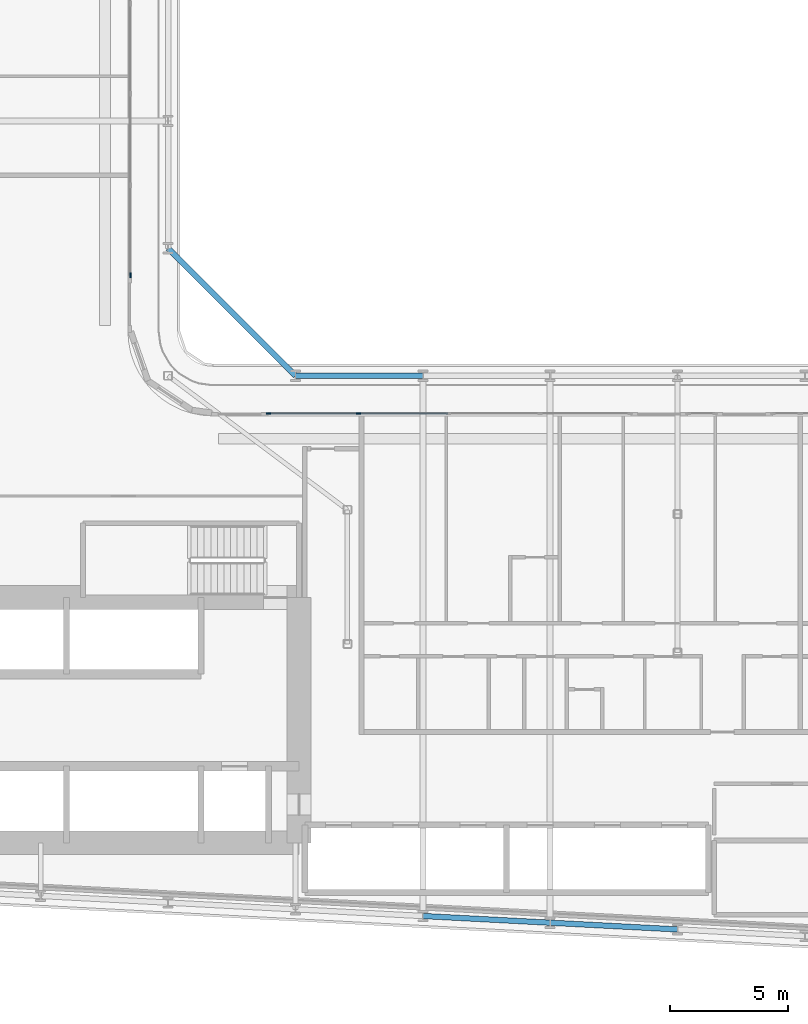
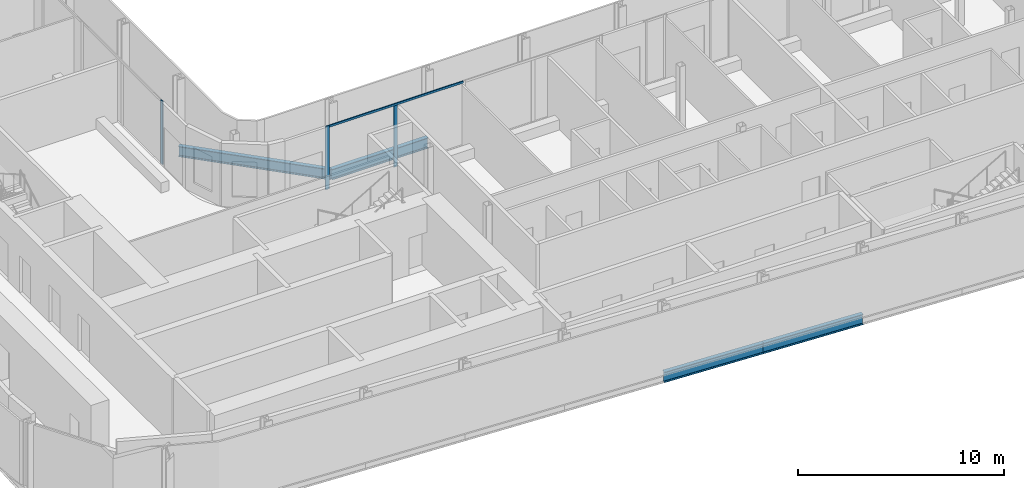
# One storey, part 4 of 29: 4 beams, 4 members, 2 elements without a shape of their own.
"""IFC4 building model written with IfcOpenShell, lengths in metres."""

from ifc_helpers import new_model, si_unit, direction, frame, origin, origin_2d, place, context, subcontext, project, spatial, rectangle, i_section, extrude, material, layer, layer_set, material_profile, profile_set, type_object, element, aggregate, save


model = new_model("IFC4")

# Units and contexts
model_context = context("Model", 3, precision=1e-05, world=origin(), true_north=direction((0.0, 1.0)))
body_context = subcontext(model_context, "Body", "Model", "MODEL_VIEW")
ifc_project = project(units=[si_unit("LENGTHUNIT", "METRE"), si_unit("AREAUNIT", "SQUARE_METRE"), si_unit("VOLUMEUNIT", "CUBIC_METRE"), si_unit("PLANEANGLEUNIT", "RADIAN"), si_unit("MASSUNIT", "GRAM", prefix="KILO")], contexts=[model_context])

# Site, building, storey
site_placement = place(None, origin())
site = spatial("IfcSite", under=ifc_project, at=site_placement, CompositionType="ELEMENT")
building_placement = place(site_placement, origin())
building = spatial("IfcBuilding", under=site, at=building_placement, Name="Kheshtan School and Residences Tower", CompositionType="ELEMENT")
storey_placement = place(building_placement, frame((0.0, 0.0, 65.60009765625)))
storey = spatial("IfcBuildingStorey", under=building, at=storey_placement, Name="L15", CompositionType="ELEMENT", Elevation=65.60009765625)

# Beams
ifc_material_1 = material(Name="Steel ASTM A992 Grade 50", Category="steel")
ifc_material_profile_1 = material_profile(ifc_material_1, i_section(OverallWidth=0.22998046875, OverallDepth=0.616943359375, WebThickness=0.01318359375, FlangeThickness=0.022216796875, FilletRadius=0.0185546875, at=origin_2d()), Name="W610x140")
ifc_profile_set_1 = profile_set([ifc_material_profile_1], Name="Steel ASTM A992 Grade 50")
beam_type = type_object("IfcBeamType", Name="Beam SP1 W610x140 ASTM A992 Grade 50", PredefinedType="BEAM", material=ifc_profile_set_1)
beam_1_placement = place(storey_placement, frame((47.60009765625, 51.0, -0.45849609375), z_axis=(0.707106781187, -0.707106781187, 0.0), x_axis=(0.707106781187, 0.707106781187, 0.0)))
element("IfcBeam", 1, at=beam_1_placement, inside=storey, type_object=beam_type, Name="Spandrel beam C079-C061", PredefinedType="BEAM", context=body_context, shape_type="SweptSolid", body=[
    extrude(i_section(OverallWidth=0.22998046875, OverallDepth=0.616943359375, WebThickness=0.01318359375, FlangeThickness=0.022216796875, FilletRadius=0.0185546875, at=origin_2d()), origin(), (0.0, 0.0, 1.0), 7.63671875),
])
beam_2_placement = place(storey_placement, frame((53.0, 45.60009765625, -0.45849609375), z_axis=(1.0, 0.0, 0.0), x_axis=(0.0, 1.0, 0.0)))
element("IfcBeam", 2, at=beam_2_placement, inside=storey, type_object=beam_type, Name="Spandrel beam C061-C062", PredefinedType="BEAM", context=body_context, shape_type="SweptSolid", body=[
    extrude(i_section(OverallWidth=0.22998046875, OverallDepth=0.616943359375, WebThickness=0.01318359375, FlangeThickness=0.022216796875, FilletRadius=0.0185546875, at=origin_2d()), origin(), (0.0, 0.0, 1.0), 5.39990234375),
])
beam_3_placement = place(storey_placement, frame((69.199951171875, 22.126953125, -0.45849609375), z_axis=(-0.998620447272, 0.05250906864, 0.0), x_axis=(-0.05250906864, -0.998620447272, 0.0)))
element("IfcBeam", 3, at=beam_3_placement, inside=storey, type_object=beam_type, Name="Spandrel beam C014-C016", PredefinedType="BEAM", context=body_context, shape_type="SweptSolid", body=[
    extrude(i_section(OverallWidth=0.22998046875, OverallDepth=0.616943359375, WebThickness=0.01318359375, FlangeThickness=0.022216796875, FilletRadius=0.0185546875, at=origin_2d()), origin(), (0.0, 0.0, 1.0), 5.407470703125),
])
beam_4_placement = place(storey_placement, frame((63.800048828125, 22.410888671875, -0.45849609375), z_axis=(-0.998618203458, 0.052551724256, 0.0), x_axis=(-0.052551724256, -0.998618203458, 0.0)))
element("IfcBeam", 4, at=beam_4_placement, inside=storey, type_object=beam_type, Name="Spandrel beam C016-C018", PredefinedType="BEAM", context=body_context, shape_type="SweptSolid", body=[
    extrude(i_section(OverallWidth=0.22998046875, OverallDepth=0.616943359375, WebThickness=0.01318359375, FlangeThickness=0.022216796875, FilletRadius=0.0185546875, at=origin_2d()), origin(), (0.0, 0.0, 1.0), 5.40771484375),
])

# Curtain wall, member
ifc_material_2 = material(Name="Clear low-e glass in thermally broken aluminium frame", Category="aluminium")
ifc_layer = layer(ifc_material_2, 0.199951171875)
ifc_layer_set = layer_set([ifc_layer], Name="Curtain wall CW-L")
curtain_wall_type = type_object("IfcCurtainWallType", Name="Curtain wall CW-L", PredefinedType="NOTDEFINED", material=ifc_layer_set)
curtain_wall_1_placement = place(storey_placement, origin())
curtain_wall_1 = element("IfcCurtainWall", 5, at=curtain_wall_1_placement, inside=storey, type_object=curtain_wall_type, Name="Curtain wall CWL8", PredefinedType="NOTDEFINED")
ifc_material_3 = material(Name="Thermally broken aluminium, dark bronze anodised", Category="aluminium")
ifc_material_profile_2 = material_profile(ifc_material_3, rectangle(XDim=0.06005859375, YDim=0.199951171875, at=origin_2d()), Name="CW-L mullion 60x200")
ifc_profile_set_2 = profile_set([ifc_material_profile_2], Name="Thermally broken aluminium, dark bronze anodised")
member_type_1 = type_object("IfcMemberType", Name="CW-L mullion 60x200", PredefinedType="MULLION", material=ifc_profile_set_2)
member_1_placement = place(storey_placement, frame((46.0, 49.860107421875, 0.0), z_axis=(0.0, 0.0, 1.0), x_axis=(1.0, 0.0, 0.0)))
member_1 = element("IfcMember", 6, at=member_1_placement, type_object=member_type_1, Name="CWL8 mullion 3", PredefinedType="MULLION", context=body_context, shape_type="SweptSolid", body=[
    extrude(rectangle(XDim=0.06005859375, YDim=0.199951171875, at=origin_2d()), origin(), (0.0, 0.0, 1.0), 3.75),
])
aggregate(curtain_wall_1, [member_1])

# Curtain wall, members
curtain_wall_2_placement = place(storey_placement, origin())
curtain_wall_2 = element("IfcCurtainWall", 7, at=curtain_wall_2_placement, inside=storey, type_object=curtain_wall_type, Name="Curtain wall CWL12j", PredefinedType="NOTDEFINED")
member_2_placement = place(storey_placement, frame((51.860107421875, 44.0, 0.0), z_axis=(0.0, 0.0, 1.0), x_axis=(0.0, 1.0, 0.0)))
member_2 = element("IfcMember", 8, at=member_2_placement, type_object=member_type_1, Name="CWL12j mullion 1", PredefinedType="MULLION", context=body_context, shape_type="SweptSolid", body=[
    extrude(rectangle(XDim=0.06005859375, YDim=0.199951171875, at=origin_2d()), origin(), (0.0, 0.0, 1.0), 3.75),
])
member_3_placement = place(storey_placement, frame((55.677001953125, 44.0, 0.0), z_axis=(0.0, 0.0, 1.0), x_axis=(0.0, 1.0, 0.0)))
member_3 = element("IfcMember", 9, at=member_3_placement, type_object=member_type_1, Name="CWL12j mullion 2", PredefinedType="MULLION", context=body_context, shape_type="SweptSolid", body=[
    extrude(rectangle(XDim=0.06005859375, YDim=0.199951171875, at=origin_2d()), origin(), (0.0, 0.0, 1.0), 3.6298828125),
])
ifc_material_profile_3 = material_profile(ifc_material_3, rectangle(XDim=0.06005859375, YDim=0.1201171875, at=origin_2d()), Name="CW-L transom 60x120")
ifc_profile_set_3 = profile_set([ifc_material_profile_3], Name="Thermally broken aluminium, dark bronze anodised")
member_type_2 = type_object("IfcMemberType", Name="CW-L transom 60x120", PredefinedType="USERDEFINED", material=ifc_profile_set_3)
member_4_placement = place(storey_placement, frame((51.889892578125, 44.0, 3.68994140625), z_axis=(1.0, 0.0, 0.0), x_axis=(0.0, 1.0, 0.0)))
member_4 = element("IfcMember", 10, at=member_4_placement, type_object=member_type_2, Name="CWL12j transom 1", ObjectType="TRANSOM", PredefinedType="USERDEFINED", context=body_context, shape_type="SweptSolid", body=[
    extrude(rectangle(XDim=0.06005859375, YDim=0.1201171875, at=origin_2d()), origin(), (0.0, 0.0, 1.0), 7.57421875),
])
aggregate(curtain_wall_2, [member_2, member_3, member_4])

save(model, "model.ifc")
